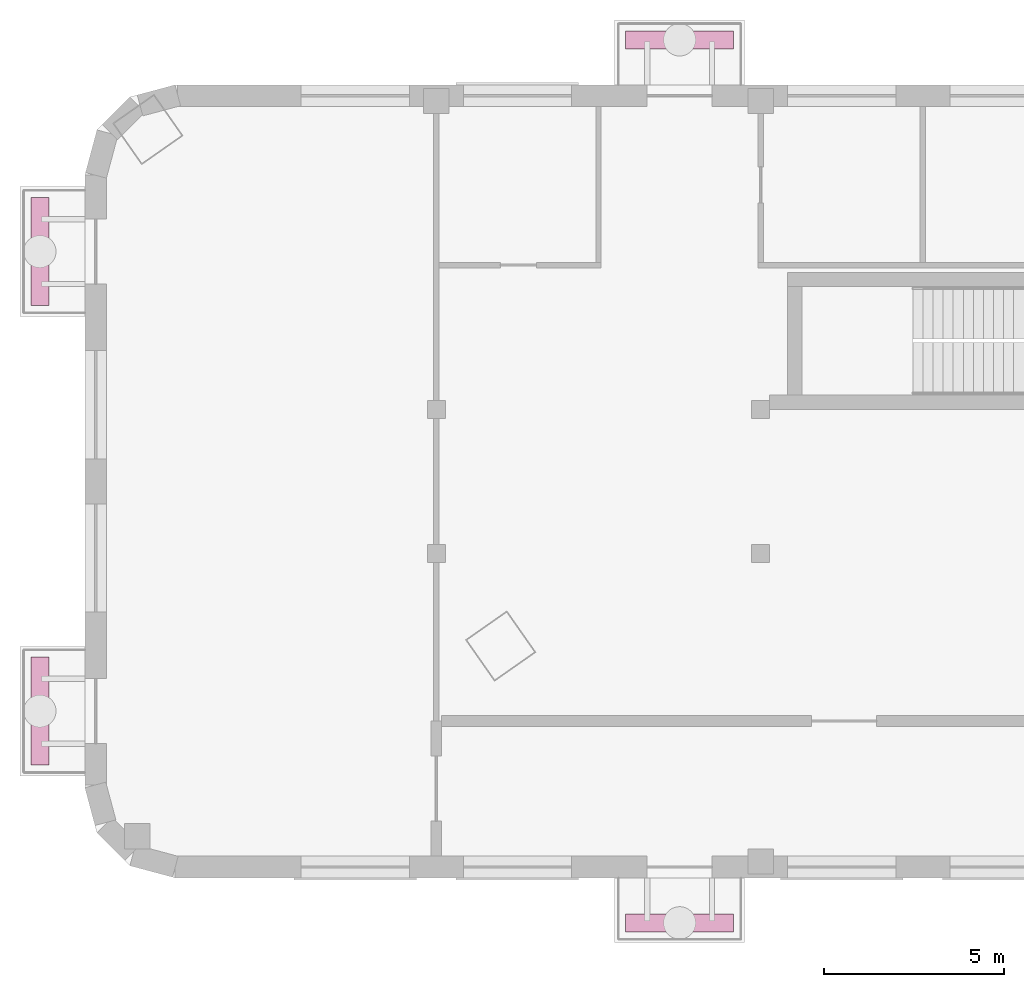
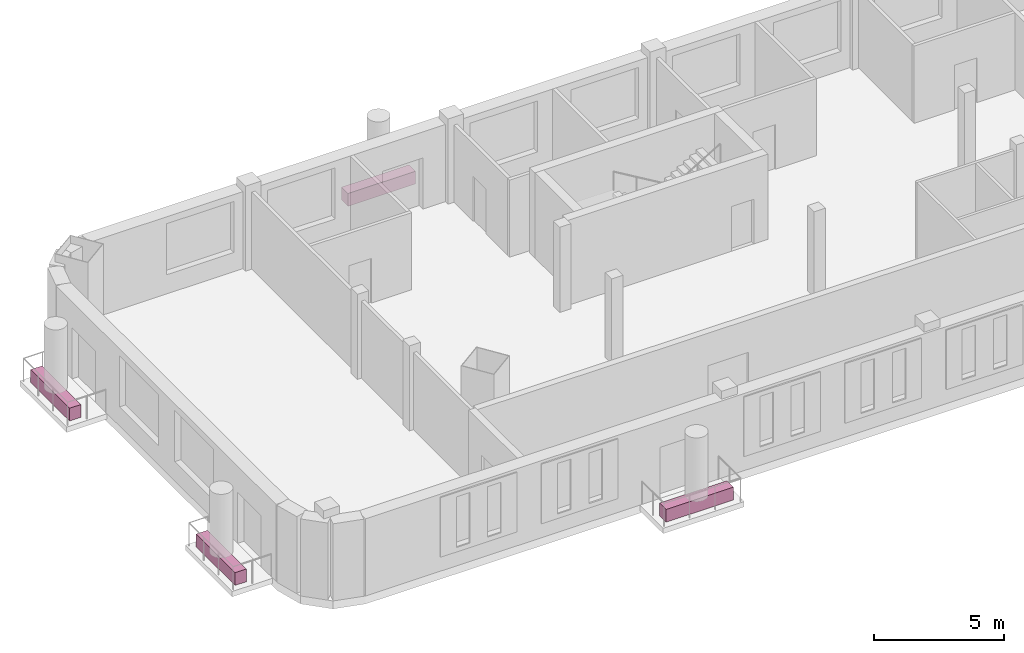
# One storey, part 6 of 7: 4 furniture elements.
"""IFC4 building model written with IfcOpenShell, lengths in metres."""

from ifc_helpers import new_model, si_unit, direction, frame, origin, origin_2d, place, context, subcontext, project, spatial, rectangle, extrude, element, save


model = new_model("IFC4")

# Units and contexts
model_context = context("Model", 3, precision=1e-05, world=origin(), true_north=direction((0.0, 1.0)))
body_context = subcontext(model_context, "Body", "Model", "MODEL_VIEW")
ifc_project = project(units=[si_unit("LENGTHUNIT", "METRE"), si_unit("AREAUNIT", "SQUARE_METRE"), si_unit("VOLUMEUNIT", "CUBIC_METRE"), si_unit("PLANEANGLEUNIT", "RADIAN"), si_unit("MASSUNIT", "GRAM", prefix="KILO")], contexts=[model_context])

# Site, building, storey
site_placement = place(None, origin())
site = spatial("IfcSite", under=ifc_project, at=site_placement, CompositionType="ELEMENT")
building_placement = place(site_placement, origin())
building = spatial("IfcBuilding", under=site, at=building_placement, Name="Skarvind Civic Tower", CompositionType="ELEMENT")
storey_placement = place(building_placement, frame((0.0, 0.0, 241.5)))
storey = spatial("IfcBuildingStorey", under=building, at=storey_placement, Name="L57", CompositionType="ELEMENT", Elevation=241.5)

# Furniture
for number, where, z_axis, x_axis, name in (
    (1, (61.0, 140.25, 0.0), (0.0, 0.0, 1.0), (1.0, 0.0, 0.0), "TREE BALCONY PLANTER"),
    (2, (43.25, 121.625, 0.0), (0.0, 0.0, 1.0), (0.0, 1.0, 0.0), "TREE BALCONY PLANTER"),
    (3, (43.25, 134.375, 0.0), (0.0, 0.0, 1.0), (0.0, 1.0, 0.0), "TREE BALCONY PLANTER"),
    (4, (61.0, 115.75, 0.0), (0.0, 0.0, 1.0), (-1.0, 0.0, 0.0), "TREE BALCONY PLANTER"),
):
    element("IfcFurniture", number, at=place(storey_placement, frame(where, z_axis=z_axis, x_axis=x_axis)), inside=storey, Name=name, ObjectType="PLANTER", PredefinedType="USERDEFINED", context=body_context, shape_type="SweptSolid", body=[
        extrude(rectangle(XDim=3.0, YDim=0.5, at=origin_2d()), origin(), (0.0, 0.0, 1.0), 0.60009765625),
    ])

save(model, "model.ifc")
